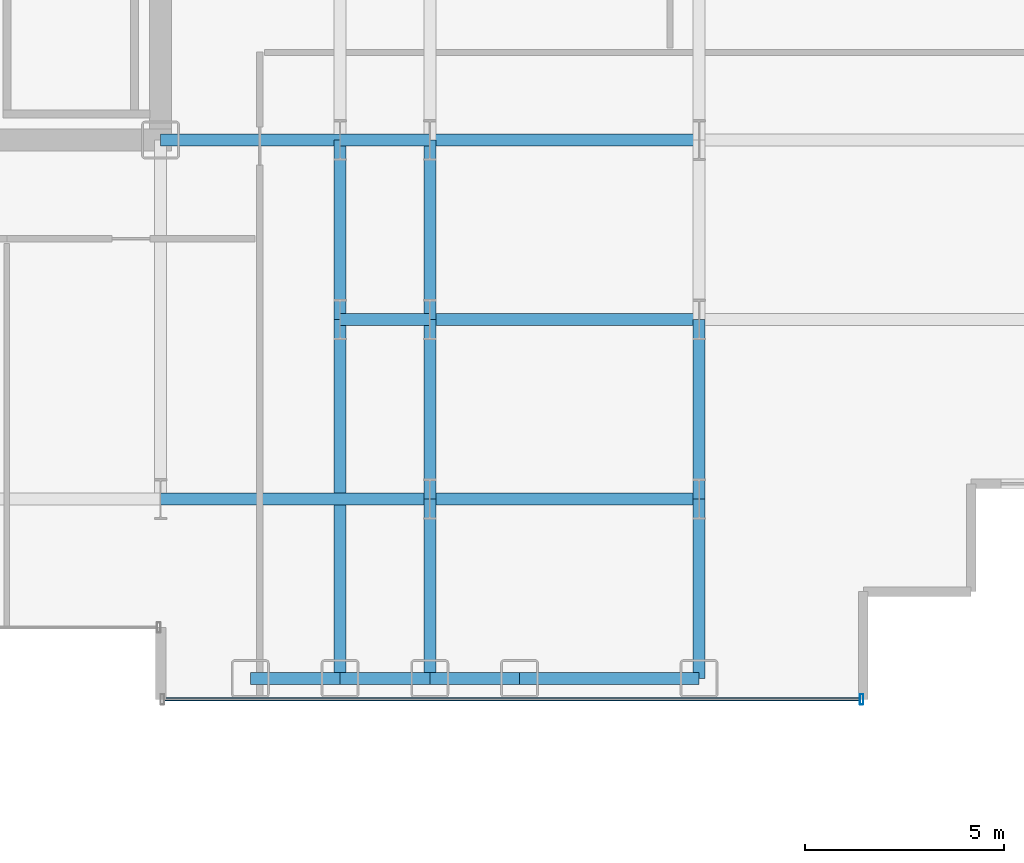
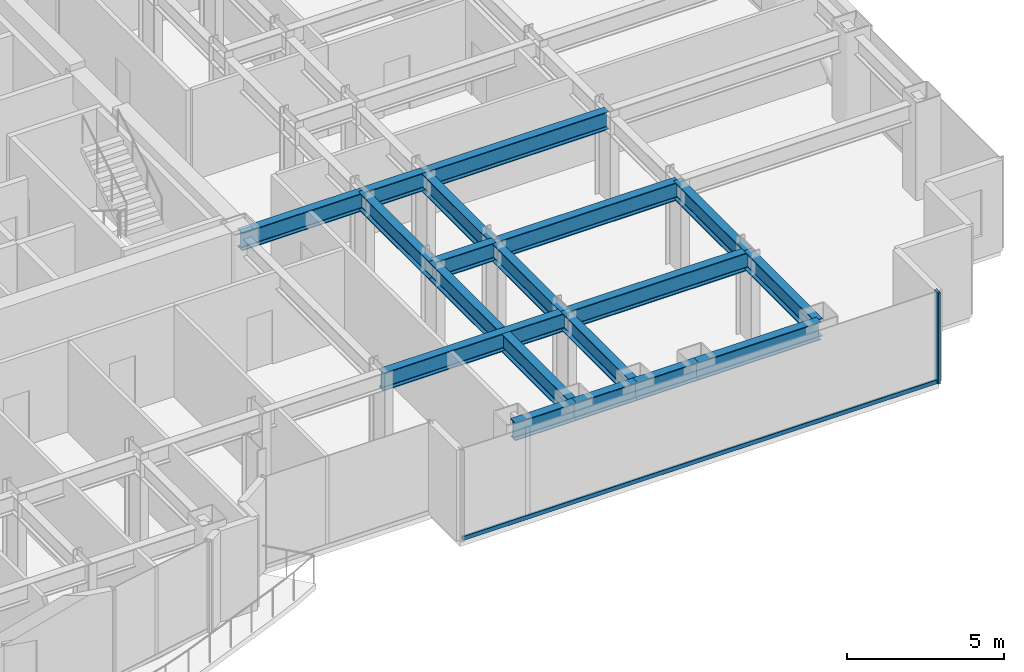
# One storey, part 9 of 29: 18 beams, 2 members, 1 element without a shape of its own.
"""IFC4 building model written with IfcOpenShell, lengths in metres."""

from ifc_helpers import new_model, si_unit, direction, frame, origin, origin_2d, place, context, subcontext, project, spatial, hollow_rectangle, i_section, extrude, source, transform, mapped, material, layer, layer_set, material_profile, profile_set, type_object, element, aggregate, save


model = new_model("IFC4")

# Units and contexts
model_context = context("Model", 3, precision=1e-05, world=origin(), true_north=direction((0.0, 1.0)))
body_context = subcontext(model_context, "Body", "Model", "MODEL_VIEW")
ifc_project = project(units=[si_unit("LENGTHUNIT", "METRE"), si_unit("AREAUNIT", "SQUARE_METRE"), si_unit("VOLUMEUNIT", "CUBIC_METRE"), si_unit("PLANEANGLEUNIT", "RADIAN"), si_unit("MASSUNIT", "GRAM", prefix="KILO")], contexts=[model_context])

# Site, building, storey
site_placement = place(None, origin())
site = spatial("IfcSite", under=ifc_project, at=site_placement, CompositionType="ELEMENT")
building_placement = place(site_placement, origin())
building = spatial("IfcBuilding", under=site, at=building_placement, Name="Nefas-Gora Pilgrimage Tower", CompositionType="ELEMENT")
storey_placement = place(building_placement, frame((0.0, 0.0, 90.800048828125)))
storey = spatial("IfcBuildingStorey", under=building, at=storey_placement, Name="L21", CompositionType="ELEMENT", Elevation=90.800048828125)

# Beams
ifc_material_1 = material(Name="Steel S355", Category="steel")
ifc_material_profile_1 = material_profile(ifc_material_1, i_section(OverallWidth=0.300048828125, OverallDepth=0.699951171875, WebThickness=0.01708984375, FlangeThickness=0.031982421875, FilletRadius=0.027099609375, at=origin_2d()), Name="HEB 700")
ifc_profile_set_1 = profile_set([ifc_material_profile_1], Name="Steel S355")
beam_type_1 = type_object("IfcBeamType", Name="BM-SPN-HEB600", PredefinedType="SPANDREL", material=ifc_profile_set_1)
shared_shape_1 = source(origin(), body_context, "Body", "SweptSolid", [
    extrude(i_section(OverallWidth=0.300048828125, OverallDepth=0.699951171875, WebThickness=0.01708984375, FlangeThickness=0.031982421875, FilletRadius=0.027099609375, at=origin_2d()), origin(), (0.0, 0.0, 1.0), 4.5),
])
beam_1_placement = place(storey_placement, frame((20.25, -22.5, 3.199951171875), z_axis=(1.0, 0.0, 0.0), x_axis=(0.0, 1.0, 0.0)))
element("IfcBeam", 1, at=beam_1_placement, inside=storey, type_object=beam_type_1, Name="L21 SP-01 beam", PredefinedType="SPANDREL", context=body_context, shape_type="MappedRepresentation", body=[
    mapped(shared_shape_1, transform((0.0, 0.0, 0.0), x_axis=(1.0, 0.0, 0.0), y_axis=(0.0, 1.0, 0.0), z_axis=(0.0, 0.0, 1.0), scale=1.0)),
])
ifc_material_profile_2 = material_profile(ifc_material_1, i_section(OverallWidth=0.300048828125, OverallDepth=0.699951171875, WebThickness=0.01708984375, FlangeThickness=0.031982421875, FilletRadius=0.027099609375, at=origin_2d()), Name="HEB 700")
ifc_profile_set_2 = profile_set([ifc_material_profile_2], Name="Steel S355")
beam_type_2 = type_object("IfcBeamType", Name="BM-GIR-HEB700", PredefinedType="BEAM", material=ifc_profile_set_2)
shared_shape_2 = source(origin(), body_context, "Body", "SweptSolid", [
    extrude(i_section(OverallWidth=0.300048828125, OverallDepth=0.699951171875, WebThickness=0.01708984375, FlangeThickness=0.031982421875, FilletRadius=0.027099609375, at=origin_2d()), origin(), (0.0, 0.0, 1.0), 9.0),
])
beam_2_placement = place(storey_placement, frame((15.75, -22.5, 3.199951171875), z_axis=(0.0, 1.0, 0.0), x_axis=(-1.0, 0.0, 0.0)))
element("IfcBeam", 2, at=beam_2_placement, inside=storey, type_object=beam_type_2, Name="L21 G-02 beam", PredefinedType="BEAM", context=body_context, shape_type="MappedRepresentation", body=[
    mapped(shared_shape_2, transform((0.0, 0.0, 0.0), x_axis=(1.0, 0.0, 0.0), y_axis=(0.0, 1.0, 0.0), z_axis=(0.0, 0.0, 1.0), scale=1.0)),
])
shared_shape_3 = source(origin(), body_context, "Body", "SweptSolid", [
    extrude(i_section(OverallWidth=0.300048828125, OverallDepth=0.699951171875, WebThickness=0.01708984375, FlangeThickness=0.031982421875, FilletRadius=0.027099609375, at=origin_2d()), origin(), (0.0, 0.0, 1.0), 4.5),
])
for number, where, z_axis, x_axis, name in (
    (3, (11.25, -9.0, 3.199951171875), (1.0, 0.0, 0.0), (0.0, 1.0, 0.0), "L21 G-02 beam"),
    (4, (15.75, -13.5, 3.199951171875), (0.0, 1.0, 0.0), (-1.0, 0.0, 0.0), "L21 G-02 beam"),
    (5, (18.0, -22.5, 3.199951171875), (0.0, 1.0, 0.0), (-1.0, 0.0, 0.0), "L21 G-02 beam"),
    (6, (18.0, -18.0, 3.199951171875), (0.0, 1.0, 0.0), (-1.0, 0.0, 0.0), "L21 G-02 beam"),
    (7, (18.0, -13.5, 3.199951171875), (0.0, 1.0, 0.0), (-1.0, 0.0, 0.0), "L21 G-02 beam"),
    (8, (24.75, -22.5, 3.199951171875), (0.0, 1.0, 0.0), (-1.0, 0.0, 0.0), "L21 G-02 beam"),
    (9, (24.75, -18.0, 3.199951171875), (0.0, 1.0, 0.0), (-1.0, 0.0, 0.0), "L21 G-02 beam"),
):
    element("IfcBeam", number, at=place(storey_placement, frame(where, z_axis=z_axis, x_axis=x_axis)), inside=storey, type_object=beam_type_2, Name=name, PredefinedType="BEAM", context=body_context, shape_type="MappedRepresentation", body=[
        mapped(shared_shape_3, transform((0.0, 0.0, 0.0), x_axis=(1.0, 0.0, 0.0), y_axis=(0.0, 1.0, 0.0), z_axis=(0.0, 0.0, 1.0), scale=1.0)),
    ])
shared_shape_4 = source(origin(), body_context, "Body", "SweptSolid", [
    extrude(i_section(OverallWidth=0.300048828125, OverallDepth=0.699951171875, WebThickness=0.01708984375, FlangeThickness=0.031982421875, FilletRadius=0.027099609375, at=origin_2d()), origin(), (0.0, 0.0, 1.0), 6.75),
])
for number, where, z_axis, x_axis, name in (
    (10, (11.25, -18.0, 3.199951171875), (1.0, 0.0, 0.0), (0.0, 1.0, 0.0), "L21 G-02 beam"),
    (11, (18.0, -18.0, 3.199951171875), (1.0, 0.0, 0.0), (0.0, 1.0, 0.0), "L21 G-02 beam"),
    (12, (18.0, -13.5, 3.199951171875), (1.0, 0.0, 0.0), (0.0, 1.0, 0.0), "L21 G-02 beam"),
    (13, (18.0, -9.0, 3.199951171875), (1.0, 0.0, 0.0), (0.0, 1.0, 0.0), "L21 G-02 beam"),
):
    element("IfcBeam", number, at=place(storey_placement, frame(where, z_axis=z_axis, x_axis=x_axis)), inside=storey, type_object=beam_type_2, Name=name, PredefinedType="BEAM", context=body_context, shape_type="MappedRepresentation", body=[
        mapped(shared_shape_4, transform((0.0, 0.0, 0.0), x_axis=(1.0, 0.0, 0.0), y_axis=(0.0, 1.0, 0.0), z_axis=(0.0, 0.0, 1.0), scale=1.0)),
    ])
shared_shape_5 = source(origin(), body_context, "Body", "SweptSolid", [
    extrude(i_section(OverallWidth=0.300048828125, OverallDepth=0.699951171875, WebThickness=0.01708984375, FlangeThickness=0.031982421875, FilletRadius=0.027099609375, at=origin_2d()), origin(), (0.0, 0.0, 1.0), 2.25),
])
for number, where, z_axis, x_axis, name in (
    (14, (13.5, -22.5, 3.199951171875), (1.0, 0.0, 0.0), (0.0, 1.0, 0.0), "L21 SP-01 beam"),
    (15, (15.75, -22.5, 3.199951171875), (1.0, 0.0, 0.0), (0.0, 1.0, 0.0), "L21 SP-01 beam"),
    (16, (18.0, -22.5, 3.199951171875), (1.0, 0.0, 0.0), (0.0, 1.0, 0.0), "L21 SP-01 beam"),
):
    element("IfcBeam", number, at=place(storey_placement, frame(where, z_axis=z_axis, x_axis=x_axis)), inside=storey, type_object=beam_type_1, Name=name, PredefinedType="SPANDREL", context=body_context, shape_type="MappedRepresentation", body=[
        mapped(shared_shape_5, transform((0.0, 0.0, 0.0), x_axis=(1.0, 0.0, 0.0), y_axis=(0.0, 1.0, 0.0), z_axis=(0.0, 0.0, 1.0), scale=1.0)),
    ])
shared_shape_6 = source(origin(), body_context, "Body", "SweptSolid", [
    extrude(i_section(OverallWidth=0.300048828125, OverallDepth=0.699951171875, WebThickness=0.01708984375, FlangeThickness=0.031982421875, FilletRadius=0.027099609375, at=origin_2d()), origin(), (0.0, 0.0, 1.0), 2.25),
])
for number, where, z_axis, x_axis, name in (
    (17, (15.75, -13.5, 3.199951171875), (1.0, 0.0, 0.0), (0.0, 1.0, 0.0), "L21 G-02 beam"),
    (18, (15.75, -9.0, 3.199951171875), (1.0, 0.0, 0.0), (0.0, 1.0, 0.0), "L21 G-02 beam"),
):
    element("IfcBeam", number, at=place(storey_placement, frame(where, z_axis=z_axis, x_axis=x_axis)), inside=storey, type_object=beam_type_2, Name=name, PredefinedType="BEAM", context=body_context, shape_type="MappedRepresentation", body=[
        mapped(shared_shape_6, transform((0.0, 0.0, 0.0), x_axis=(1.0, 0.0, 0.0), y_axis=(0.0, 1.0, 0.0), z_axis=(0.0, 0.0, 1.0), scale=1.0)),
    ])

# Curtain wall, members
ifc_material_2 = material(Name="Dark ceramic-fritted solar-control aluminium-glass curtain wall", Category="aluminium")
ifc_layer = layer(ifc_material_2, 0.219970703125)
ifc_layer_set = layer_set([ifc_layer], Name="Dark ceramic-fritted solar-control aluminium-glass curtain wall")
curtain_wall_type = type_object("IfcCurtainWallType", Name="CW-SYS-2", PredefinedType="NOTDEFINED", material=ifc_layer_set)
curtain_wall_placement = place(storey_placement, origin())
curtain_wall = element("IfcCurtainWall", 19, at=curtain_wall_placement, inside=storey, type_object=curtain_wall_type, Name="L21 Unitised Curtain Wall CW2", PredefinedType="NOTDEFINED")
ifc_material_3 = material(Name="Anodised architectural aluminium", Category="aluminium")
ifc_material_profile_3 = material_profile(ifc_material_3, hollow_rectangle(XDim=0.090087890625, YDim=0.260009765625, WallThickness=0.006103515625, InnerFilletRadius=0.006103515625, OuterFilletRadius=0.011962890625, at=origin_2d()), Name="ALU MULLION 90x260")
ifc_profile_set_3 = profile_set([ifc_material_profile_3], Name="Anodised architectural aluminium")
member_type_1 = type_object("IfcMemberType", Name="CWM-MUL-2", PredefinedType="MULLION", material=ifc_profile_set_3)
shared_shape_7 = source(origin(), body_context, "Body", "SweptSolid", [
    extrude(hollow_rectangle(XDim=0.090087890625, YDim=0.260009765625, WallThickness=0.006103515625, InnerFilletRadius=0.006103515625, OuterFilletRadius=0.011962890625, at=origin_2d()), origin(), (0.0, 0.0, 1.0), 3.550048828125),
])
member_1_placement = place(storey_placement, frame((28.824951171875, -23.02001953125, 0.0), z_axis=(0.0, 0.0, 1.0), x_axis=(1.0, 0.0, 0.0)))
member_1 = element("IfcMember", 20, at=member_1_placement, type_object=member_type_1, Name="CW2 Mullion 2", PredefinedType="MULLION", context=body_context, shape_type="MappedRepresentation", body=[
    mapped(shared_shape_7, transform((0.0, 0.0, 0.0), x_axis=(1.0, 0.0, 0.0), y_axis=(0.0, 1.0, 0.0), z_axis=(0.0, 0.0, 1.0), scale=1.0)),
])
ifc_material_profile_4 = material_profile(ifc_material_3, hollow_rectangle(XDim=0.080078125, YDim=0.159912109375, WallThickness=0.00439453125, InnerFilletRadius=0.00439453125, OuterFilletRadius=0.009033203125, at=origin_2d()), Name="ALU TRANSOM 80x160")
ifc_profile_set_4 = profile_set([ifc_material_profile_4], Name="Anodised architectural aluminium")
member_type_2 = type_object("IfcMemberType", Name="CWM-TRN-2", PredefinedType="USERDEFINED", material=ifc_profile_set_4)
shared_shape_8 = source(origin(), body_context, "Body", "SweptSolid", [
    extrude(hollow_rectangle(XDim=0.080078125, YDim=0.159912109375, WallThickness=0.00439453125, InnerFilletRadius=0.00439453125, OuterFilletRadius=0.009033203125, at=origin_2d()), origin(), (0.0, 0.0, 1.0), 17.43994140625),
])
member_2_placement = place(storey_placement, frame((11.340087890625, -23.02001953125, 0.050048828125), z_axis=(1.0, 0.0, 0.0), x_axis=(0.0, 1.0, 0.0)))
member_2 = element("IfcMember", 21, at=member_2_placement, type_object=member_type_2, Name="CW2 Spandrel Transom", ObjectType="TRANSOM", PredefinedType="USERDEFINED", context=body_context, shape_type="MappedRepresentation", body=[
    mapped(shared_shape_8, transform((0.0, 0.0, 0.0), x_axis=(1.0, 0.0, 0.0), y_axis=(0.0, 1.0, 0.0), z_axis=(0.0, 0.0, 1.0), scale=1.0)),
])
aggregate(curtain_wall, [member_1, member_2])

save(model, "model.ifc")
